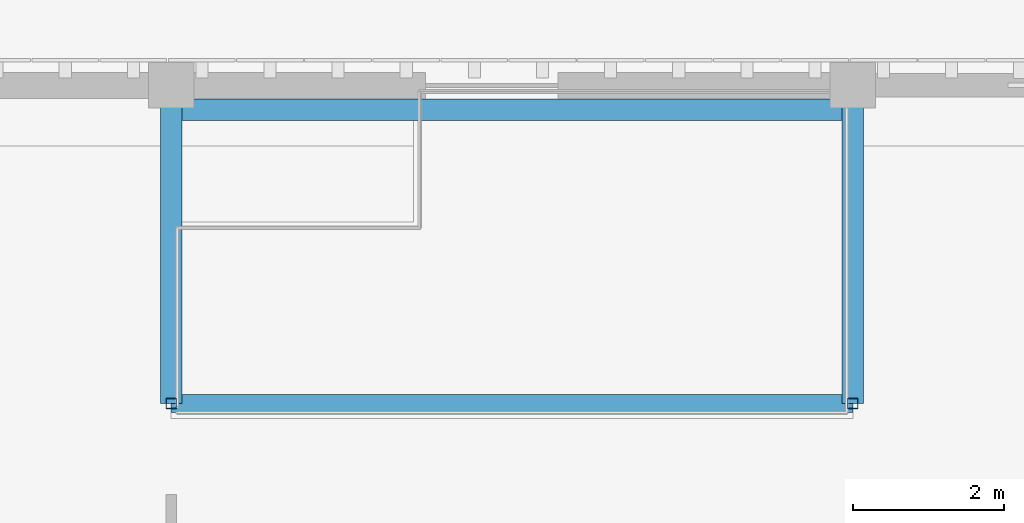
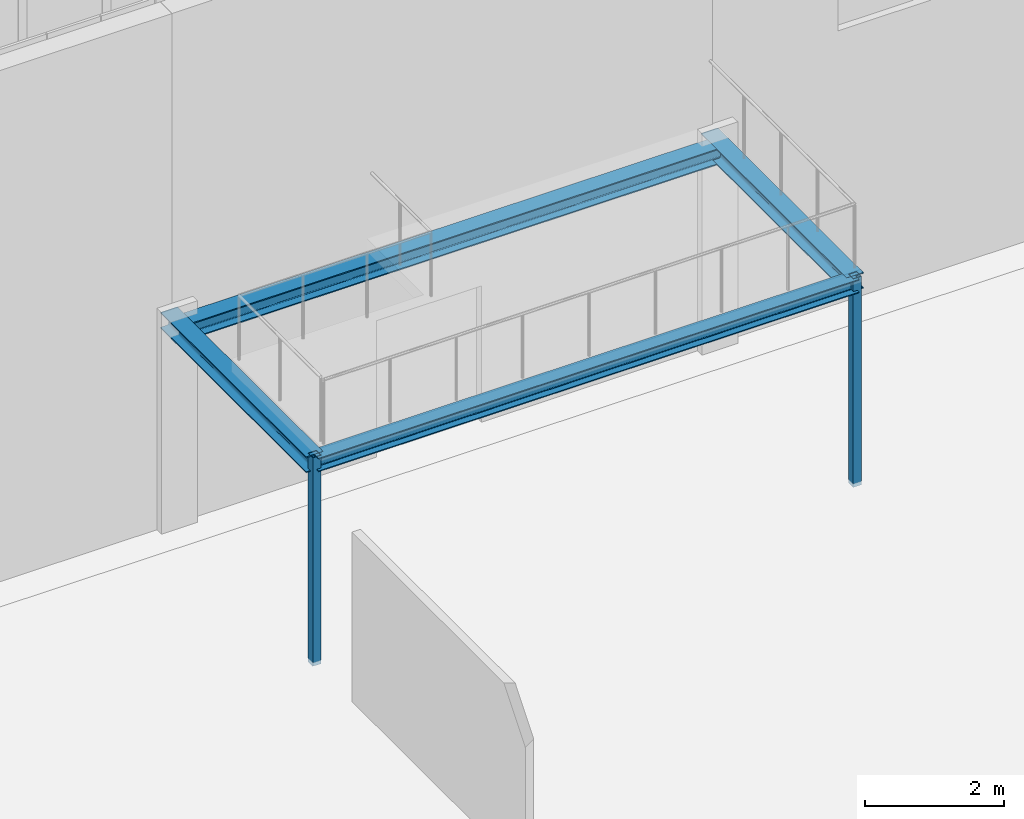
# One storey, part 24 of 67: 4 beams, 2 members.
"""IFC4 building model written with IfcOpenShell, lengths in metres."""

from ifc_helpers import new_model, si_unit, direction, frame, origin, origin_2d, place, context, subcontext, project, spatial, hollow_rectangle, i_section, extrude, material, material_profile, profile_set, type_object, element, save


model = new_model("IFC4")

# Units and contexts
model_context = context("Model", 3, precision=1e-05, world=origin(), true_north=direction((0.0, 1.0)))
body_context = subcontext(model_context, "Body", "Model", "MODEL_VIEW")
ifc_project = project(units=[si_unit("LENGTHUNIT", "METRE"), si_unit("AREAUNIT", "SQUARE_METRE"), si_unit("VOLUMEUNIT", "CUBIC_METRE"), si_unit("PLANEANGLEUNIT", "RADIAN"), si_unit("MASSUNIT", "GRAM", prefix="KILO")], contexts=[model_context])

# Site, building, storey
site_placement = place(None, origin())
site = spatial("IfcSite", under=ifc_project, at=site_placement, CompositionType="ELEMENT")
building_placement = place(site_placement, origin())
building = spatial("IfcBuilding", under=site, at=building_placement, Name="Tizgana Railside Sports Hall", CompositionType="ELEMENT")
storey_placement = place(building_placement, frame((0.0, 0.0, 12.0)))
storey = spatial("IfcBuildingStorey", under=building, at=storey_placement, Name="L02", CompositionType="ELEMENT", Elevation=12.0)

# Beams
ifc_material = material(Name="Steel S355J2", Category="steel")
ifc_material_profile_1 = material_profile(ifc_material, i_section(OverallWidth=0.239990234375, OverallDepth=0.239990234375, WebThickness=0.010009765625, FlangeThickness=0.01708984375, FilletRadius=0.02099609375, at=origin_2d()), Name="HEB 240")
ifc_profile_set_1 = profile_set([ifc_material_profile_1], Name="Steel S355J2")
beam_type_1 = type_object("IfcBeamType", Name="Steel Beam HEB 240", PredefinedType="BEAM", material=ifc_profile_set_1)
beam_1_placement = place(storey_placement, frame((106.800048828125, 69.0, 3.550048828125), z_axis=(1.0, 0.0, 0.0), x_axis=(0.0, 1.0, 0.0)))
element("IfcBeam", 1, at=beam_1_placement, inside=storey, type_object=beam_type_1, Name="L02 BEM-1290", PredefinedType="BEAM", context=body_context, shape_type="SweptSolid", body=[
    extrude(i_section(OverallWidth=0.239990234375, OverallDepth=0.239990234375, WebThickness=0.010009765625, FlangeThickness=0.01708984375, FilletRadius=0.02099609375, at=origin_2d()), origin(), (0.0, 0.0, 1.0), 9.0),
])
ifc_material_profile_2 = material_profile(ifc_material, i_section(OverallWidth=0.280029296875, OverallDepth=0.280029296875, WebThickness=0.010498046875, FlangeThickness=0.01806640625, FilletRadius=0.02392578125, at=origin_2d()), Name="HEB 280")
ifc_profile_set_2 = profile_set([ifc_material_profile_2], Name="Steel S355J2")
beam_type_2 = type_object("IfcBeamType", Name="Steel Beam HEB 280", PredefinedType="BEAM", material=ifc_profile_set_2)
beam_2_placement = place(storey_placement, frame((106.800048828125, 72.8798828125, 3.530029296875), z_axis=(1.0, 0.0, 0.0), x_axis=(0.0, 1.0, 0.0)))
element("IfcBeam", 2, at=beam_2_placement, inside=storey, type_object=beam_type_2, Name="L02 BEM-1289", PredefinedType="BEAM", context=body_context, shape_type="SweptSolid", body=[
    extrude(i_section(OverallWidth=0.280029296875, OverallDepth=0.280029296875, WebThickness=0.010498046875, FlangeThickness=0.01806640625, FilletRadius=0.02392578125, at=origin_2d()), origin(), (0.0, 0.0, 1.0), 9.0),
])
for number, where, z_axis, x_axis, name in (
    (3, (106.800048828125, 73.199951171875, 3.530029296875), (0.0, -1.0, 0.0), (1.0, 0.0, 0.0), "L02 BEM-1291"),
    (4, (115.800048828125, 73.199951171875, 3.530029296875), (0.0, -1.0, 0.0), (1.0, 0.0, 0.0), "L02 BEM-1292"),
):
    element("IfcBeam", number, at=place(storey_placement, frame(where, z_axis=z_axis, x_axis=x_axis)), inside=storey, type_object=beam_type_2, Name=name, PredefinedType="BEAM", context=body_context, shape_type="SweptSolid", body=[
        extrude(i_section(OverallWidth=0.280029296875, OverallDepth=0.280029296875, WebThickness=0.010498046875, FlangeThickness=0.01806640625, FilletRadius=0.02392578125, at=origin_2d()), origin(), (0.0, 0.0, 1.0), 4.199951171875),
    ])

# Members
ifc_material_profile_3 = material_profile(ifc_material, hollow_rectangle(XDim=0.139892578125, YDim=0.139892578125, WallThickness=0.008056640625, at=origin_2d()), Name="SHS 140x140x8")
ifc_profile_set_3 = profile_set([ifc_material_profile_3], Name="Steel S355J2")
member_type = type_object("IfcMemberType", Name="Steel Brace SHS 140x140x8", PredefinedType="BRACE", material=ifc_profile_set_3)
for number, where, z_axis, x_axis, name in (
    (5, (106.800048828125, 69.0, 0.0), (0.0, 0.0, 1.0), (1.0, 0.0, 0.0), "L02 Catwalk Hanger"),
    (6, (115.800048828125, 69.0, 0.0), (0.0, 0.0, 1.0), (1.0, 0.0, 0.0), "L02 Catwalk Hanger"),
):
    element("IfcMember", number, at=place(storey_placement, frame(where, z_axis=z_axis, x_axis=x_axis)), inside=storey, type_object=member_type, Name=name, PredefinedType="BRACE", context=body_context, shape_type="SweptSolid", body=[
        extrude(hollow_rectangle(XDim=0.139892578125, YDim=0.139892578125, WallThickness=0.008056640625, at=origin_2d()), origin(), (0.0, 0.0, 1.0), 3.669921875),
    ])

save(model, "model.ifc")
